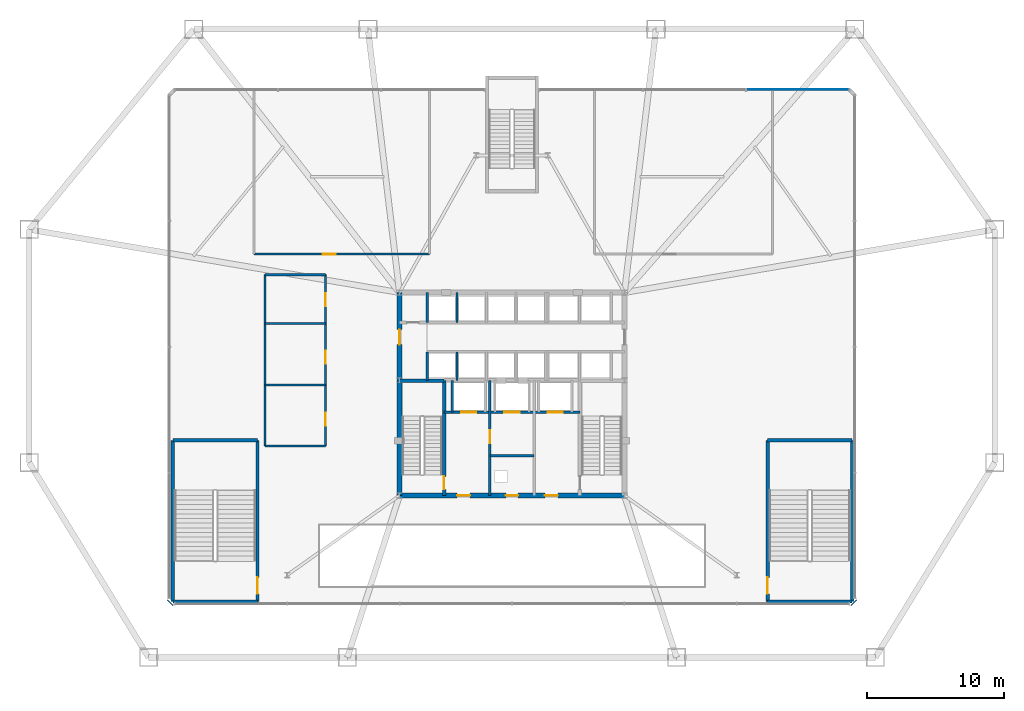
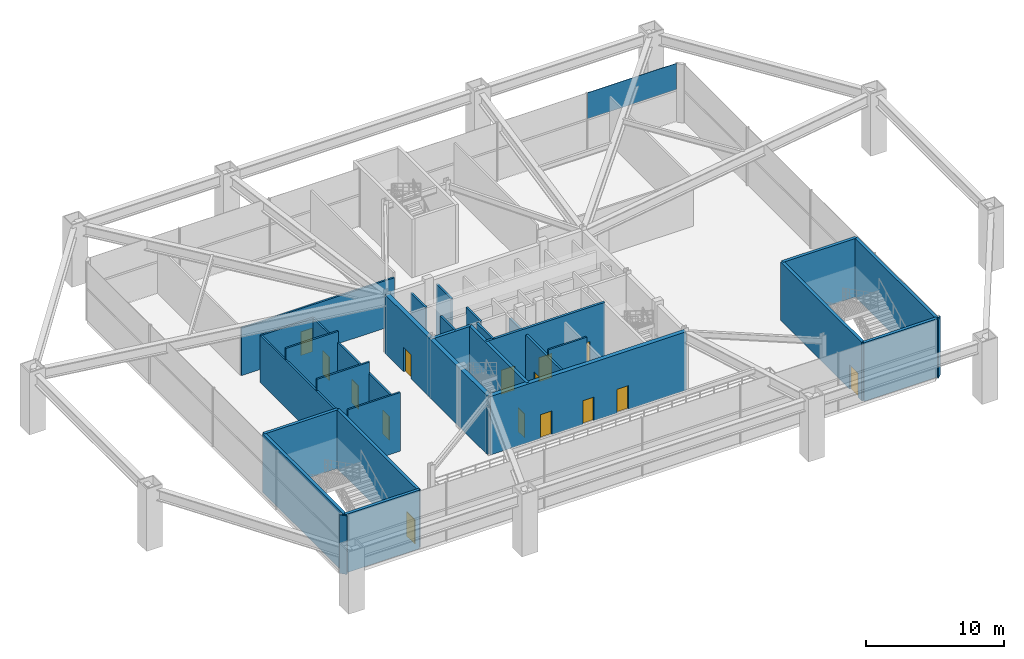
# One storey, part 14 of 18: 29 walls, 15 doors, 1 plate, 15 openings, 1 element without a shape of its own.
"""IFC4 building model written with IfcOpenShell, lengths in metres."""

import ifcopenshell
import ifcopenshell.guid

model = None  # the IFC model being written
_history = None  # IfcOwnerHistory: only IFC2X3 demands one
_inside = {}  # id of a spatial element -> (the spatial element, [elements in it])
_under = {}  # id of a project, library or spatial element -> (it, [spatial elements below it])
_declared = {}  # id of a project -> (the project, [libraries it declares])
_typed = {}  # id of a type object -> (the type object, [elements of that type])
_made_of = {}  # id of a material, layer set ... -> (it, [elements and type objects made of it])


def new_model(schema):
    """Start an empty IFC model of exactly this schema.

    Asked for "IFC4X3", IfcOpenShell would pick the latest addendum, in which some entities
    have other attributes; the version numbers below select the first issue.
    IFC2X3 requires an IfcOwnerHistory on every rooted entity: one is made here for all.
    """
    global model, _history
    if schema == "IFC4X3":
        model = ifcopenshell.file(schema_version=(4, 3, 0, 0))
    else:
        model = ifcopenshell.file(schema=schema)
    _inside.clear()
    _under.clear()
    _declared.clear()
    _typed.clear()
    _made_of.clear()
    _history = None
    if model.schema == "IFC2X3":
        org = make("IfcOrganization", Name="unknown")
        user = make(
            "IfcPersonAndOrganization",
            ThePerson=make("IfcPerson", FamilyName="unknown"),
            TheOrganization=org,
        )
        app = make(
            "IfcApplication",
            ApplicationDeveloper=org,
            Version="unknown",
            ApplicationFullName="unknown",
            ApplicationIdentifier="unknown",
        )
        _history = make(
            "IfcOwnerHistory",
            OwningUser=user,
            OwningApplication=app,
            ChangeAction="ADDED",
            CreationDate=0,
        )
    return model


def make(cls, **values):
    """One entity of the class cls with the attributes given. An attribute that is None is left unset."""
    return model.create_entity(
        cls, **{name: value for name, value in values.items() if value is not None}
    )


def rooted(cls, **values):
    """An entity with a GlobalId (a new one), such as an element, a storey or a relation."""
    return make(cls, GlobalId=ifcopenshell.guid.new(), OwnerHistory=_history, **values)


def si_unit(unit_type, name, prefix=None):
    """IfcSIUnit, for example si_unit("LENGTHUNIT", "METRE", prefix="MILLI")."""
    return make("IfcSIUnit", UnitType=unit_type, Prefix=prefix, Name=name)


def assignment(units):
    """IfcUnitAssignment: the units of a project."""
    return None if units is None else make("IfcUnitAssignment", Units=units)


def point(xyz):
    """IfcCartesianPoint."""
    return None if xyz is None else make("IfcCartesianPoint", Coordinates=xyz)


def direction(xyz):
    """IfcDirection."""
    return None if xyz is None else make("IfcDirection", DirectionRatios=xyz)


def frame(location, z_axis=None, x_axis=None):
    """IfcAxis2Placement3D, a coordinate frame: its origin and axes. An axis left out is left unset."""
    return make(
        "IfcAxis2Placement3D",
        Location=point(location),
        Axis=direction(z_axis),
        RefDirection=direction(x_axis),
    )


def frame_2d(location, x_axis=None):
    """IfcAxis2Placement2D, a coordinate frame in the plane: its origin and x axis."""
    return make(
        "IfcAxis2Placement2D", Location=point(location), RefDirection=direction(x_axis)
    )


def origin():
    """The frame at (0, 0, 0) with its axes left unset."""
    return frame((0.0, 0.0, 0.0))


def origin_2d():
    """The frame at (0, 0) in the plane with its x axis left unset."""
    return frame_2d((0.0, 0.0))


def place(relative_to, where):
    """IfcLocalPlacement: puts the frame where relative to a parent placement (None: the world)."""
    return make(
        "IfcLocalPlacement", PlacementRelTo=relative_to, RelativePlacement=where
    )


def context(
    kind, dimensions, precision=None, world=None, true_north=None, identifier=None
):
    """IfcGeometricRepresentationContext, for example the 3D "Model" context."""
    return make(
        "IfcGeometricRepresentationContext",
        ContextIdentifier=identifier,
        ContextType=kind,
        CoordinateSpaceDimension=dimensions,
        Precision=precision,
        WorldCoordinateSystem=world,
        TrueNorth=true_north,
    )


def subcontext(parent, identifier, kind, view, scale=None):
    """IfcGeometricRepresentationSubContext, for example "Body" below "Model"."""
    return make(
        "IfcGeometricRepresentationSubContext",
        ContextIdentifier=identifier,
        ContextType=kind,
        ParentContext=parent,
        TargetScale=scale,
        TargetView=view,
    )


def project(units=None, contexts=None):
    """IfcProject with its units and contexts."""
    return rooted(
        "IfcProject",
        Name="project",
        RepresentationContexts=contexts,
        UnitsInContext=assignment(units),
    )


def spatial(cls, under=None, at=None, **own):
    """A site, building, storey or space (cls), placed at a placement, below another one or the project."""
    s = rooted(cls, ObjectPlacement=at, **own)
    if under is not None:
        _under.setdefault(under.id(), (under, []))[1].append(s)
    return s


def profile(cls, at=None, kind="AREA", **sizes):
    """A parametric profile (cls). Its sizes go by their IFC names, for example OverallWidth=200.0."""
    return make(cls, ProfileType=kind, Position=at, **sizes)


def rectangle(**sizes):
    """IfcRectangleProfileDef."""
    return profile("IfcRectangleProfileDef", **sizes)


def extrude(swept, where, along, depth):
    """IfcExtrudedAreaSolid: the profile swept, set in the frame where, extruded along a direction by depth."""
    return make(
        "IfcExtrudedAreaSolid",
        SweptArea=swept,
        Position=where,
        ExtrudedDirection=direction(along),
        Depth=depth,
    )


def shape(context_of_items, identifier, shape_type, items):
    """IfcShapeRepresentation: the items that make up one representation, for example the "Body"."""
    return make(
        "IfcShapeRepresentation",
        ContextOfItems=context_of_items,
        RepresentationIdentifier=identifier,
        RepresentationType=shape_type,
        Items=items,
    )


def source(mapping_origin, context_of_items, identifier, shape_type, items):
    """IfcRepresentationMap: a shape defined once, which mapped items show again and again."""
    return make(
        "IfcRepresentationMap",
        MappingOrigin=mapping_origin,
        MappedRepresentation=shape(context_of_items, identifier, shape_type, items),
    )


def transform(
    local_origin,
    x_axis=None,
    y_axis=None,
    z_axis=None,
    scale=None,
    scale2=None,
    scale3=None,
    uniform=True,
):
    """IfcCartesianTransformationOperator3D, or its non-uniform kind. x_axis, y_axis, z_axis: its Axis1, 2, 3."""
    if uniform:
        return make(
            "IfcCartesianTransformationOperator3D",
            Axis1=direction(x_axis),
            Axis2=direction(y_axis),
            LocalOrigin=point(local_origin),
            Scale=scale,
            Axis3=direction(z_axis),
        )
    return make(
        "IfcCartesianTransformationOperator3DnonUniform",
        Axis1=direction(x_axis),
        Axis2=direction(y_axis),
        LocalOrigin=point(local_origin),
        Scale=scale,
        Axis3=direction(z_axis),
        Scale2=scale2,
        Scale3=scale3,
    )


def mapped(mapping_source, mapping_target):
    """IfcMappedItem: shows the shape of a source again, moved by a transform."""
    return make(
        "IfcMappedItem", MappingSource=mapping_source, MappingTarget=mapping_target
    )


def material(Name=None, Category=None):
    """IfcMaterial."""
    return make("IfcMaterial", Name=Name, Category=Category)


def layer(
    of_material, thickness, ventilated=None, Name=None, Category=None, Priority=None
):
    """IfcMaterialLayer: one layer of a wall or slab, of a material (None: an air gap)."""
    return make(
        "IfcMaterialLayer",
        Material=of_material,
        LayerThickness=thickness,
        IsVentilated=ventilated,
        Name=Name,
        Category=Category,
        Priority=Priority,
    )


def layer_set(layers, Name=None):
    """IfcMaterialLayerSet."""
    return make("IfcMaterialLayerSet", MaterialLayers=layers, LayerSetName=Name)


def made_of(thing, what):
    """Note that an element or type object is made of a material, layer set ...; save() writes the relation."""
    if what is not None:
        _made_of.setdefault(what.id(), (what, []))[1].append(thing)
    return thing


def type_object(cls, material=None, **own):
    """A type object (cls), such as IfcWallType, which elements share."""
    return made_of(rooted(cls, **own), material)


def type_shapes(of_type, sources):
    """Give a type object the sources (RepresentationMaps) that its elements show as mapped items."""
    of_type.RepresentationMaps = sources


def element(
    cls,
    number,
    at=None,
    inside=None,
    cuts=None,
    type_object=None,
    material=None,
    context=None,
    identifier="Body",
    shape_type=None,
    held_by="IfcProductDefinitionShape",
    body=None,
    shapes=None,
    **own,
):
    """One element of the class cls, such as IfcWall. Its Tag is "e" and its number.

    at: its placement. inside: the storey or other place that contains it. cuts: it is an
    opening in that element (IfcRelVoidsElement). A single representation is given by context,
    identifier, shape_type and body (its items); several are given by shapes. held_by: the class
    of the entity that holds the representations. save() writes the other relations.
    """
    e = rooted(cls, Tag="e%d" % number, ObjectPlacement=at, **own)
    if body is not None:
        shapes = [shape(context, identifier, shape_type, body)]
    if shapes is not None:
        e.Representation = make(held_by, Representations=shapes)
    if inside is not None:
        _inside.setdefault(inside.id(), (inside, []))[1].append(e)
    if cuts is not None:
        rooted(
            "IfcRelVoidsElement", RelatingBuildingElement=cuts, RelatedOpeningElement=e
        )
    if type_object is not None:
        _typed.setdefault(type_object.id(), (type_object, []))[1].append(e)
    return made_of(e, material)


def fill(opening, filler):
    """IfcRelFillsElement: the door or window that sits in an opening."""
    return rooted(
        "IfcRelFillsElement",
        RelatingOpeningElement=opening,
        RelatedBuildingElement=filler,
    )


def aggregate(whole, parts):
    """IfcRelAggregates: a whole, such as a stair, and the parts it consists of."""
    return rooted("IfcRelAggregates", RelatingObject=whole, RelatedObjects=parts)


def save(model, path):
    """Write the relations noted so far, then the file.

    IfcRelAggregates (storeys below a building ...), IfcRelContainedInSpatialStructure (elements
    in a storey), IfcRelDefinesByType, IfcRelAssociatesMaterial and IfcRelDeclares: one each for
    every whole, place, type object, material and project.
    """
    for whole, parts in _under.values():
        aggregate(whole, parts)
    for where, things in _inside.values():
        rooted(
            "IfcRelContainedInSpatialStructure",
            RelatedElements=things,
            RelatingStructure=where,
        )
    for kind, things in _typed.values():
        rooted("IfcRelDefinesByType", RelatedObjects=things, RelatingType=kind)
    for what, things in _made_of.values():
        rooted("IfcRelAssociatesMaterial", RelatedObjects=things, RelatingMaterial=what)
    for by, libraries in _declared.values():
        rooted("IfcRelDeclares", RelatingContext=by, RelatedDefinitions=libraries)
    model.write(path)


model = new_model("IFC4")

# Units and contexts
model_context = context("Model", 3, precision=1e-05, world=origin(), true_north=direction((0.0, 1.0)))
body_context = subcontext(model_context, "Body", "Model", "MODEL_VIEW")
ifc_project = project(units=[si_unit("LENGTHUNIT", "METRE"), si_unit("AREAUNIT", "SQUARE_METRE"), si_unit("VOLUMEUNIT", "CUBIC_METRE"), si_unit("PLANEANGLEUNIT", "RADIAN"), si_unit("MASSUNIT", "GRAM", prefix="KILO")], contexts=[model_context])

# Site, building, storey
site_placement = place(None, origin())
site = spatial("IfcSite", under=ifc_project, at=site_placement, CompositionType="ELEMENT")
building_placement = place(site_placement, origin())
building = spatial("IfcBuilding", under=site, at=building_placement, Name="Varakhsha Concourse Tower", CompositionType="ELEMENT")
storey_placement = place(building_placement, frame((0.0, 0.0, 5.5)))
storey = spatial("IfcBuildingStorey", under=building, at=storey_placement, Name="L02", CompositionType="ELEMENT", Elevation=5.5)

# Curtain wall, plate
ifc_material_1 = material(Name="Anodised Bronze Architectural Aluminium AA 6063-T6", Category="aluminium")
ifc_layer_1 = layer(ifc_material_1, 0.239990234375, Name="CW-SYS-01")
ifc_layer_set_1 = layer_set([ifc_layer_1], Name="Anodised Bronze Architectural Aluminium AA 6063-T6")
curtain_wall_type = type_object("IfcCurtainWallType", Name="CW-SYS-01", PredefinedType="NOTDEFINED", material=ifc_layer_set_1)
curtain_wall_placement = place(storey_placement, origin())
curtain_wall = element("IfcCurtainWall", 1, at=curtain_wall_placement, inside=storey, type_object=curtain_wall_type, Name="L02 Mezzanine Curtain Wall 05A", PredefinedType="NOTDEFINED")
ifc_material_2 = material(Name="Glazed Turquoise-Bronze Ceramic Spandrel Panel 38 mm", Category="ceramic")
ifc_layer_2 = layer(ifc_material_2, 0.0380859375, Name="CWP-SPN-38")
ifc_layer_set_2 = layer_set([ifc_layer_2], Name="Glazed Turquoise-Bronze Ceramic Spandrel Panel 38 mm")
plate_type = type_object("IfcPlateType", Name="CWP-SPN-38", PredefinedType="USERDEFINED", material=ifc_layer_set_2)
shared_shape = source(origin(), body_context, "Body", "SweptSolid", [
    extrude(rectangle(XDim=7.457763671875, YDim=0.0380859375, at=origin_2d()), origin(), (0.0, 0.0, 1.0), 2.31103515625),
])
type_shapes(plate_type, [shared_shape])
plate_placement = place(storey_placement, frame((60.83154296875, 46.0, 2.83447265625), z_axis=(0.0, 0.0, 1.0), x_axis=(-1.0, 0.0, 0.0)))
plate = element("IfcPlate", 2, at=plate_placement, type_object=plate_type, Name="CW-L02-05A Panel 00-01", ObjectType="SPANDREL", PredefinedType="USERDEFINED", context=body_context, shape_type="MappedRepresentation", body=[
    mapped(shared_shape, transform((0.0, 0.0, 0.0), scale=1.0)),
])
aggregate(curtain_wall, [plate])

# Wall, openings, doors
ifc_material_3 = material(Name="Concrete fc 65 MPa", Category="concrete")
ifc_layer_3 = layer(ifc_material_3, 0.35009765625, Name="WL-CORE-350")
ifc_layer_set_3 = layer_set([ifc_layer_3], Name="Concrete fc 65 MPa")
wall_type_1 = type_object("IfcWallType", Name="WL-CORE-350", PredefinedType="SHEAR", material=ifc_layer_set_3)
wall_1_placement = place(storey_placement, frame((31.800048828125, 16.39990234375, 0.0), z_axis=(0.0, 0.0, 1.0), x_axis=(1.0, 0.0, 0.0)))
wall_1 = element("IfcWall", 3, at=wall_1_placement, inside=storey, type_object=wall_type_1, Name="L02 Wall CWALL-S-L02", PredefinedType="SHEAR", context=body_context, shape_type="SweptSolid", body=[
    extrude(rectangle(XDim=16.39990234375, YDim=0.35009765625, at=frame_2d((8.199951171875, 0.0))), origin(), (0.0, 0.0, 1.0), 5.179931640625),
])
opening_1_placement = place(wall_1_placement, frame((7.75, 0.0, 0.0)))
opening_1 = element("IfcOpeningElement", 4, at=opening_1_placement, cuts=wall_1, Name="Opening DF-06", PredefinedType="OPENING", context=body_context, shape_type="SweptSolid", body=[
    extrude(rectangle(XDim=0.89990234375, YDim=2.10009765625, at=frame_2d((0.449951171875, 1.050048828125))), frame((0.0, 0.18505859375, 0.0), z_axis=(0.0, -1.0, 0.0), x_axis=(1.0, 0.0, 0.0)), (0.0, 0.0, 1.0), 0.3701171875),
])
opening_2_placement = place(wall_1_placement, frame((4.199951171875, 0.0, 0.0)))
opening_2 = element("IfcOpeningElement", 5, at=opening_2_placement, cuts=wall_1, Name="Opening DF-05", PredefinedType="OPENING", context=body_context, shape_type="SweptSolid", body=[
    extrude(rectangle(XDim=0.949951171875, YDim=2.10009765625, at=frame_2d((0.47509765625, 1.050048828125))), frame((0.0, 0.18505859375, 0.0), z_axis=(0.0, -1.0, 0.0), x_axis=(1.0, 0.0, 0.0)), (0.0, 0.0, 1.0), 0.3701171875),
])
opening_3_placement = place(wall_1_placement, frame((10.60009765625, 0.0, 0.0)))
opening_3 = element("IfcOpeningElement", 6, at=opening_3_placement, cuts=wall_1, Name="Opening DF-05", PredefinedType="OPENING", context=body_context, shape_type="SweptSolid", body=[
    extrude(rectangle(XDim=0.949951171875, YDim=2.10009765625, at=frame_2d((0.47509765625, 1.050048828125))), frame((0.0, 0.18505859375, 0.0), z_axis=(0.0, -1.0, 0.0), x_axis=(1.0, 0.0, 0.0)), (0.0, 0.0, 1.0), 0.3701171875),
])
ifc_material_4 = material(Name="Hollow Galvanised Steel Fire Door Assembly", Category="steel")
door_type_1 = type_object("IfcDoorType", Name="DR-FD60-900", OperationType="NOTDEFINED", PredefinedType="DOOR", material=ifc_material_4)
door_1_placement = place(opening_1_placement, origin())
door_1 = element("IfcDoor", 7, at=door_1_placement, inside=storey, type_object=door_type_1, Name="L02 Electrical Riser Access Door", OperationType="SINGLE_SWING_LEFT", OverallHeight=2.10009765625, OverallWidth=0.89990234375, PredefinedType="DOOR", context=body_context, shape_type="SweptSolid", body=[
    extrude(rectangle(XDim=0.89990234375, YDim=2.10009765625, at=frame_2d((0.449951171875, 1.050048828125))), frame((0.0, 0.02490234375, 0.0), z_axis=(0.0, -1.0, 0.0), x_axis=(1.0, 0.0, 0.0)), (0.0, 0.0, 1.0), 0.050048828125),
])
fill(opening_1, door_1)
door_type_2 = type_object("IfcDoorType", Name="DR-FD60-950", OperationType="NOTDEFINED", PredefinedType="DOOR", material=ifc_material_4)
door_2_placement = place(opening_2_placement, origin())
door_2 = element("IfcDoor", 8, at=door_2_placement, inside=storey, type_object=door_type_2, Name="L02 Firefighting Lobby West Door", OperationType="SINGLE_SWING_RIGHT", OverallHeight=2.10009765625, OverallWidth=0.949951171875, PredefinedType="DOOR", context=body_context, shape_type="SweptSolid", body=[
    extrude(rectangle(XDim=0.949951171875, YDim=2.10009765625, at=frame_2d((0.47509765625, 1.050048828125))), frame((0.0, 0.02490234375, 0.0), z_axis=(0.0, -1.0, 0.0), x_axis=(1.0, 0.0, 0.0)), (0.0, 0.0, 1.0), 0.050048828125),
])
fill(opening_2, door_2)
door_3_placement = place(opening_3_placement, origin())
door_3 = element("IfcDoor", 9, at=door_3_placement, inside=storey, type_object=door_type_2, Name="L02 Firefighting Lobby East Door", OperationType="SINGLE_SWING_LEFT", OverallHeight=2.10009765625, OverallWidth=0.949951171875, PredefinedType="DOOR", context=body_context, shape_type="SweptSolid", body=[
    extrude(rectangle(XDim=0.949951171875, YDim=2.10009765625, at=frame_2d((0.47509765625, 1.050048828125))), frame((0.0, 0.02490234375, 0.0), z_axis=(0.0, -1.0, 0.0), x_axis=(1.0, 0.0, 0.0)), (0.0, 0.0, 1.0), 0.050048828125),
])
fill(opening_3, door_3)

# Wall, opening, door
wall_2_placement = place(storey_placement, frame((31.800048828125, 16.39990234375, 0.0), z_axis=(0.0, 0.0, 1.0), x_axis=(0.0, 1.0, 0.0)))
wall_2 = element("IfcWall", 10, at=wall_2_placement, inside=storey, type_object=wall_type_1, Name="L02 Wall CWALL-W-L02", PredefinedType="SHEAR", context=body_context, shape_type="SweptSolid", body=[
    extrude(rectangle(XDim=14.800048828125, YDim=0.35009765625, at=frame_2d((7.39990234375, 0.0))), origin(), (0.0, 0.0, 1.0), 5.179931640625),
])
opening_4_placement = place(wall_2_placement, frame((11.0, 0.0, 0.0)))
opening_4 = element("IfcOpeningElement", 11, at=opening_4_placement, cuts=wall_2, Name="Opening DL-01", PredefinedType="OPENING", context=body_context, shape_type="SweptSolid", body=[
    extrude(rectangle(XDim=1.10009765625, YDim=2.14990234375, at=frame_2d((0.550048828125, 1.074951171875))), frame((0.0, 0.18505859375, 0.0), z_axis=(0.0, -1.0, 0.0), x_axis=(1.0, 0.0, 0.0)), (0.0, 0.0, 1.0), 0.3701171875),
])
door_type_3 = type_object("IfcDoorType", Name="DR-LOB-1100", OperationType="NOTDEFINED", PredefinedType="DOOR", material=ifc_material_1)
door_4_placement = place(opening_4_placement, origin())
door_4 = element("IfcDoor", 12, at=door_4_placement, inside=storey, type_object=door_type_3, Name="L02 Lift Lobby West Concourse Door", OperationType="SINGLE_SWING_LEFT", OverallHeight=2.14990234375, OverallWidth=1.10009765625, PredefinedType="DOOR", context=body_context, shape_type="SweptSolid", body=[
    extrude(rectangle(XDim=1.10009765625, YDim=2.14990234375, at=frame_2d((0.550048828125, 1.074951171875))), frame((0.0, 0.02490234375, 0.0), z_axis=(0.0, -1.0, 0.0), x_axis=(1.0, 0.0, 0.0)), (0.0, 0.0, 1.0), 0.050048828125),
])
fill(opening_4, door_4)

# Walls
ifc_material_5 = material(Name="Concrete fc 45 MPa", Category="concrete")
ifc_layer_4 = layer(ifc_material_5, 0.300048828125, Name="WL-EXT-POD-300")
ifc_layer_set_4 = layer_set([ifc_layer_4], Name="Concrete fc 45 MPa")
wall_type_2 = type_object("IfcWallType", Name="WL-EXT-POD-300", PredefinedType="STANDARD", material=ifc_layer_set_4)
for number, where, z_axis, x_axis, name in (
    (13, (64.72021484375, 8.3798828125, 0.0), (0.0, 0.0, 1.0), (0.707106781187, 0.707106781187, 0.0), "L02 Mezzanine Corner Pier 2"),
    (14, (14.8798828125, 8.77978515625, 0.0), (0.0, 0.0, 1.0), (0.707106781187, -0.707106781187, 0.0), "L02 Mezzanine Corner Pier 8"),
):
    element("IfcWall", number, at=place(storey_placement, frame(where, z_axis=z_axis, x_axis=x_axis)), inside=storey, type_object=wall_type_2, Name=name, PredefinedType="STANDARD", context=body_context, shape_type="SweptSolid", body=[
        extrude(rectangle(XDim=0.5654296875, YDim=0.080078125, at=frame_2d((0.28271484375, 0.0))), origin(), (0.0, 0.0, 1.0), 5.179931640625),
    ])

# Wall, opening, door
ifc_material_6 = material(Name="Fire-Rated Type X Gypsum Partition Assembly", Category="gypsum")
ifc_layer_5 = layer(ifc_material_6, 0.179931640625, Name="WL-FFLOB-180")
ifc_layer_set_5 = layer_set([ifc_layer_5], Name="Fire-Rated Type X Gypsum Partition Assembly")
wall_type_3 = type_object("IfcWallType", Name="WL-FFLOB-180", PredefinedType="PARTITIONING", material=ifc_layer_set_5)
wall_3_placement = place(storey_placement, frame((38.389892578125, 16.39990234375, 0.0), z_axis=(0.0, 0.0, 1.0), x_axis=(0.0, 1.0, 0.0)))
wall_3 = element("IfcWall", 15, at=wall_3_placement, inside=storey, type_object=wall_type_3, Name="L02 Wall FFW-1E-L02", PredefinedType="PARTITIONING", context=body_context, shape_type="SweptSolid", body=[
    extrude(rectangle(XDim=8.400146484375, YDim=0.179931640625, at=frame_2d((4.2001953125, 0.0))), origin(), (0.0, 0.0, 1.0), 4.631103515625),
])
opening_5_placement = place(wall_3_placement, frame((3.800048828125, 0.0, 0.0)))
opening_5 = element("IfcOpeningElement", 16, at=opening_5_placement, cuts=wall_3, Name="Opening DF-05", PredefinedType="OPENING", context=body_context, shape_type="SweptSolid", body=[
    extrude(rectangle(XDim=0.949951171875, YDim=2.10009765625, at=frame_2d((0.47509765625, 1.050048828125))), frame((0.0, 0.099853515625, 0.0), z_axis=(0.0, -1.0, 0.0), x_axis=(1.0, 0.0, 0.0)), (0.0, 0.0, 1.0), 0.199951171875),
])
door_5_placement = place(opening_5_placement, origin())
door_5 = element("IfcDoor", 17, at=door_5_placement, inside=storey, type_object=door_type_2, Name="L02 Service Vestibule Door", OperationType="SINGLE_SWING_RIGHT", OverallHeight=2.10009765625, OverallWidth=0.949951171875, PredefinedType="DOOR", context=body_context, shape_type="SweptSolid", body=[
    extrude(rectangle(XDim=0.949951171875, YDim=2.10009765625, at=frame_2d((0.47509765625, 1.050048828125))), frame((0.0, 0.02490234375, 0.0), z_axis=(0.0, -1.0, 0.0), x_axis=(1.0, 0.0, 0.0)), (0.0, 0.0, 1.0), 0.050048828125),
])
fill(opening_5, door_5)

# Wall
ifc_layer_6 = layer(ifc_material_6, 0.14990234375, Name="WL-PART-150")
ifc_layer_set_6 = layer_set([ifc_layer_6], Name="Fire-Rated Type X Gypsum Partition Assembly")
wall_type_4 = type_object("IfcWallType", Name="WL-PART-150", PredefinedType="PARTITIONING", material=ifc_layer_set_6)
wall_4_placement = place(storey_placement, frame((38.389892578125, 19.300048828125, 0.0), z_axis=(0.0, 0.0, 1.0), x_axis=(1.0, 0.0, 0.0)))
element("IfcWall", 18, at=wall_4_placement, inside=storey, type_object=wall_type_4, Name="L02 Wall RSW-H-L02", PredefinedType="PARTITIONING", context=body_context, shape_type="SweptSolid", body=[
    extrude(rectangle(XDim=3.22021484375, YDim=0.14990234375, at=frame_2d((1.610107421875, 0.0))), origin(), (0.0, 0.0, 1.0), 5.179931640625),
])

# Wall, opening, door
wall_5_placement = place(storey_placement, frame((21.199951171875, 34.0, 0.0), z_axis=(0.0, 0.0, 1.0), x_axis=(1.0, 0.0, 0.0)))
wall_5 = element("IfcWall", 19, at=wall_5_placement, inside=storey, type_object=wall_type_4, Name="L02 Wall L02W-M1S", PredefinedType="PARTITIONING", context=body_context, shape_type="SweptSolid", body=[
    extrude(rectangle(XDim=12.800048828125, YDim=0.14990234375, at=frame_2d((6.39990234375, 0.0))), origin(), (0.0, 0.0, 1.0), 4.195068359375),
])
opening_6_placement = place(wall_5_placement, frame((5.0, 0.0, 0.0)))
opening_6 = element("IfcOpeningElement", 20, at=opening_6_placement, cuts=wall_5, Name="Opening DF-05", PredefinedType="OPENING", context=body_context, shape_type="SweptSolid", body=[
    extrude(rectangle(XDim=0.949951171875, YDim=2.10009765625, at=frame_2d((0.47509765625, 1.050048828125))), frame((0.0, 0.0849609375, 0.0), z_axis=(0.0, -1.0, 0.0), x_axis=(1.0, 0.0, 0.0)), (0.0, 0.0, 1.0), 0.169921875),
])
door_6_placement = place(opening_6_placement, origin())
door_6 = element("IfcDoor", 21, at=door_6_placement, inside=storey, type_object=door_type_2, Name="L02 Platte Boardroom Suite Door", OperationType="SINGLE_SWING_LEFT", OverallHeight=2.10009765625, OverallWidth=0.949951171875, PredefinedType="DOOR", context=body_context, shape_type="SweptSolid", body=[
    extrude(rectangle(XDim=0.949951171875, YDim=2.10009765625, at=frame_2d((0.47509765625, 1.050048828125))), frame((0.0, 0.02490234375, 0.0), z_axis=(0.0, -1.0, 0.0), x_axis=(1.0, 0.0, 0.0)), (0.0, 0.0, 1.0), 0.050048828125),
])
fill(opening_6, door_6)

# Wall, openings, doors
wall_6_placement = place(storey_placement, frame((26.39990234375, 20.0, 0.0), z_axis=(0.0, 0.0, 1.0), x_axis=(0.0, 1.0, 0.0)))
wall_6 = element("IfcWall", 22, at=wall_6_placement, inside=storey, type_object=wall_type_4, Name="L02 Wall L02W-WCE", PredefinedType="PARTITIONING", context=body_context, shape_type="SweptSolid", body=[
    extrude(rectangle(XDim=12.5, YDim=0.14990234375, at=frame_2d((6.25, 0.0))), origin(), (0.0, 0.0, 1.0), 4.195068359375),
])
opening_7_placement = place(wall_6_placement, frame((1.5, 0.0, 0.0)))
opening_7 = element("IfcOpeningElement", 23, at=opening_7_placement, cuts=wall_6, Name="Opening DF-05", PredefinedType="OPENING", context=body_context, shape_type="SweptSolid", body=[
    extrude(rectangle(XDim=0.949951171875, YDim=2.10009765625, at=frame_2d((0.47509765625, 1.050048828125))), frame((0.0, 0.0849609375, 0.0), z_axis=(0.0, -1.0, 0.0), x_axis=(1.0, 0.0, 0.0)), (0.0, 0.0, 1.0), 0.169921875),
])
opening_8_placement = place(wall_6_placement, frame((6.0, 0.0, 0.0)))
opening_8 = element("IfcOpeningElement", 24, at=opening_8_placement, cuts=wall_6, Name="Opening DF-05", PredefinedType="OPENING", context=body_context, shape_type="SweptSolid", body=[
    extrude(rectangle(XDim=0.949951171875, YDim=2.10009765625, at=frame_2d((0.47509765625, 1.050048828125))), frame((0.0, 0.0849609375, 0.0), z_axis=(0.0, -1.0, 0.0), x_axis=(1.0, 0.0, 0.0)), (0.0, 0.0, 1.0), 0.169921875),
])
opening_9_placement = place(wall_6_placement, frame((10.199951171875, 0.0, 0.0)))
opening_9 = element("IfcOpeningElement", 25, at=opening_9_placement, cuts=wall_6, Name="Opening DF-05", PredefinedType="OPENING", context=body_context, shape_type="SweptSolid", body=[
    extrude(rectangle(XDim=0.949951171875, YDim=2.10009765625, at=frame_2d((0.47509765625, 1.050048828125))), frame((0.0, 0.0849609375, 0.0), z_axis=(0.0, -1.0, 0.0), x_axis=(1.0, 0.0, 0.0)), (0.0, 0.0, 1.0), 0.169921875),
])
door_7_placement = place(opening_7_placement, origin())
door_7 = element("IfcDoor", 26, at=door_7_placement, inside=storey, type_object=door_type_2, Name="L02 Men Restroom WC Door", OperationType="SINGLE_SWING_LEFT", OverallHeight=2.10009765625, OverallWidth=0.949951171875, PredefinedType="DOOR", context=body_context, shape_type="SweptSolid", body=[
    extrude(rectangle(XDim=0.949951171875, YDim=2.10009765625, at=frame_2d((0.47509765625, 1.050048828125))), frame((0.0, 0.02490234375, 0.0), z_axis=(0.0, -1.0, 0.0), x_axis=(1.0, 0.0, 0.0)), (0.0, 0.0, 1.0), 0.050048828125),
])
fill(opening_7, door_7)
door_8_placement = place(opening_8_placement, origin())
door_8 = element("IfcDoor", 27, at=door_8_placement, inside=storey, type_object=door_type_2, Name="L02 Women Restroom WC Door", OperationType="SINGLE_SWING_LEFT", OverallHeight=2.10009765625, OverallWidth=0.949951171875, PredefinedType="DOOR", context=body_context, shape_type="SweptSolid", body=[
    extrude(rectangle(XDim=0.949951171875, YDim=2.10009765625, at=frame_2d((0.47509765625, 1.050048828125))), frame((0.0, 0.02490234375, 0.0), z_axis=(0.0, -1.0, 0.0), x_axis=(1.0, 0.0, 0.0)), (0.0, 0.0, 1.0), 0.050048828125),
])
fill(opening_8, door_8)
door_9_placement = place(opening_9_placement, origin())
door_9 = element("IfcDoor", 28, at=door_9_placement, inside=storey, type_object=door_type_2, Name="L02 Accessible WC Door", OperationType="SINGLE_SWING_LEFT", OverallHeight=2.10009765625, OverallWidth=0.949951171875, PredefinedType="DOOR", context=body_context, shape_type="SweptSolid", body=[
    extrude(rectangle(XDim=0.949951171875, YDim=2.10009765625, at=frame_2d((0.47509765625, 1.050048828125))), frame((0.0, 0.02490234375, 0.0), z_axis=(0.0, -1.0, 0.0), x_axis=(1.0, 0.0, 0.0)), (0.0, 0.0, 1.0), 0.050048828125),
])
fill(opening_9, door_9)

# Walls
wall_7_placement = place(storey_placement, frame((22.0, 20.0, 0.0), z_axis=(0.0, 0.0, 1.0), x_axis=(0.0, 1.0, 0.0)))
element("IfcWall", 29, at=wall_7_placement, inside=storey, type_object=wall_type_4, Name="L02 Wall L02W-WCW", PredefinedType="PARTITIONING", context=body_context, shape_type="SweptSolid", body=[
    extrude(rectangle(XDim=12.5, YDim=0.14990234375, at=frame_2d((6.25, 0.0))), origin(), (0.0, 0.0, 1.0), 4.195068359375),
])
for number, where, z_axis, x_axis, name in (
    (30, (22.0, 20.0, 0.0), (0.0, 0.0, 1.0), (1.0, 0.0, 0.0), "L02 Wall L02W-WCS"),
    (31, (22.0, 24.449951171875, 0.0), (0.0, 0.0, 1.0), (1.0, 0.0, 0.0), "L02 Wall L02W-WCD1"),
    (32, (22.0, 28.949951171875, 0.0), (0.0, 0.0, 1.0), (1.0, 0.0, 0.0), "L02 Wall L02W-WCD2"),
):
    element("IfcWall", number, at=place(storey_placement, frame(where, z_axis=z_axis, x_axis=x_axis)), inside=storey, type_object=wall_type_4, Name=name, PredefinedType="PARTITIONING", context=body_context, shape_type="SweptSolid", body=[
        extrude(rectangle(XDim=4.39990234375, YDim=0.14990234375, at=frame_2d((2.199951171875, 0.0))), origin(), (0.0, 0.0, 1.0), 5.179931640625),
    ])
wall_8_placement = place(storey_placement, frame((22.0, 32.5, 0.0), z_axis=(0.0, 0.0, 1.0), x_axis=(1.0, 0.0, 0.0)))
element("IfcWall", 33, at=wall_8_placement, inside=storey, type_object=wall_type_4, Name="L02 Wall L02W-WCN", PredefinedType="PARTITIONING", context=body_context, shape_type="SweptSolid", body=[
    extrude(rectangle(XDim=4.39990234375, YDim=0.14990234375, at=frame_2d((2.199951171875, 0.0))), origin(), (0.0, 0.0, 1.0), 4.195068359375),
])

# Wall, openings, doors
ifc_layer_7 = layer(ifc_material_6, 0.199951171875, Name="WL-SHAFT-220")
ifc_layer_set_7 = layer_set([ifc_layer_7], Name="Fire-Rated Type X Gypsum Partition Assembly")
wall_type_5 = type_object("IfcWallType", Name="WL-SHAFT-220", PredefinedType="SOLIDWALL", material=ifc_layer_set_7)
wall_9_placement = place(storey_placement, frame((35.044921875, 22.47998046875, 0.0), z_axis=(0.0, 0.0, 1.0), x_axis=(1.0, 0.0, 0.0)))
wall_9 = element("IfcWall", 34, at=wall_9_placement, inside=storey, type_object=wall_type_5, Name="L02 Wall FFW-NH-L02", PredefinedType="SOLIDWALL", context=body_context, shape_type="SweptSolid", body=[
    extrude(rectangle(XDim=9.91015625, YDim=0.199951171875, at=frame_2d((4.955078125, 0.0))), origin(), (0.0, 0.0, 1.0), 5.179931640625),
])
opening_10_placement = place(wall_9_placement, frame((1.2548828125, 0.0, 0.0)))
opening_10 = element("IfcOpeningElement", 35, at=opening_10_placement, cuts=wall_9, Name="Opening LD-FFL-1", PredefinedType="OPENING", context=body_context, shape_type="SweptSolid", body=[
    extrude(rectangle(XDim=1.10009765625, YDim=2.14990234375, at=frame_2d((0.550048828125, 1.074951171875))), frame((0.0, 0.10986328125, 0.0), z_axis=(0.0, -1.0, 0.0), x_axis=(1.0, 0.0, 0.0)), (0.0, 0.0, 1.0), 0.219970703125),
])
opening_11_placement = place(wall_9_placement, frame((7.554931640625, 0.0, 0.0)))
opening_11 = element("IfcOpeningElement", 36, at=opening_11_placement, cuts=wall_9, Name="Opening LD-FFL-2", PredefinedType="OPENING", context=body_context, shape_type="SweptSolid", body=[
    extrude(rectangle(XDim=1.10009765625, YDim=2.14990234375, at=frame_2d((0.550048828125, 1.074951171875))), frame((0.0, 0.10986328125, 0.0), z_axis=(0.0, -1.0, 0.0), x_axis=(1.0, 0.0, 0.0)), (0.0, 0.0, 1.0), 0.219970703125),
])
opening_12_placement = place(wall_9_placement, frame((4.405029296875, 0.0, 0.0)))
opening_12 = element("IfcOpeningElement", 37, at=opening_12_placement, cuts=wall_9, Name="Opening LD-SVL-1", PredefinedType="OPENING", context=body_context, shape_type="SweptSolid", body=[
    extrude(rectangle(XDim=1.10009765625, YDim=2.14990234375, at=frame_2d((0.550048828125, 1.074951171875))), frame((0.0, 0.10986328125, 0.0), z_axis=(0.0, -1.0, 0.0), x_axis=(1.0, 0.0, 0.0)), (0.0, 0.0, 1.0), 0.219970703125),
])
ifc_material_7 = material(Name="Brushed Austenitic Stainless Steel AISI 316", Category="steel")
door_type_4 = type_object("IfcDoorType", Name="DR-LD-1100", OperationType="DOUBLE_DOOR_SLIDING", PredefinedType="DOOR", material=ifc_material_7)
door_10_placement = place(opening_10_placement, origin())
door_10 = element("IfcDoor", 38, at=door_10_placement, inside=storey, type_object=door_type_4, Name="Lift Landing Door FFL-1 L02", OperationType="DOUBLE_DOOR_SLIDING", OverallHeight=2.14990234375, OverallWidth=1.10009765625, PredefinedType="DOOR", context=body_context, shape_type="SweptSolid", body=[
    extrude(rectangle(XDim=1.10009765625, YDim=2.14990234375, at=frame_2d((0.550048828125, 1.074951171875))), frame((0.0, 0.02490234375, 0.0), z_axis=(0.0, -1.0, 0.0), x_axis=(1.0, 0.0, 0.0)), (0.0, 0.0, 1.0), 0.050048828125),
])
fill(opening_10, door_10)
door_11_placement = place(opening_11_placement, origin())
door_11 = element("IfcDoor", 39, at=door_11_placement, inside=storey, type_object=door_type_4, Name="Lift Landing Door FFL-2 L02", OperationType="DOUBLE_DOOR_SLIDING", OverallHeight=2.14990234375, OverallWidth=1.10009765625, PredefinedType="DOOR", context=body_context, shape_type="SweptSolid", body=[
    extrude(rectangle(XDim=1.10009765625, YDim=2.14990234375, at=frame_2d((0.550048828125, 1.074951171875))), frame((0.0, 0.02490234375, 0.0), z_axis=(0.0, -1.0, 0.0), x_axis=(1.0, 0.0, 0.0)), (0.0, 0.0, 1.0), 0.050048828125),
])
fill(opening_11, door_11)
door_12_placement = place(opening_12_placement, origin())
door_12 = element("IfcDoor", 40, at=door_12_placement, inside=storey, type_object=door_type_4, Name="Lift Landing Door SVL-1 L02", OperationType="DOUBLE_DOOR_SLIDING", OverallHeight=2.14990234375, OverallWidth=1.10009765625, PredefinedType="DOOR", context=body_context, shape_type="SweptSolid", body=[
    extrude(rectangle(XDim=1.10009765625, YDim=2.14990234375, at=frame_2d((0.550048828125, 1.074951171875))), frame((0.0, 0.02490234375, 0.0), z_axis=(0.0, -1.0, 0.0), x_axis=(1.0, 0.0, 0.0)), (0.0, 0.0, 1.0), 0.050048828125),
])
fill(opening_12, door_12)

# Walls
wall_10_placement = place(storey_placement, frame((35.64990234375, 22.47998046875, 0.0), z_axis=(0.0, 0.0, 1.0), x_axis=(0.0, 1.0, 0.0)))
element("IfcWall", 41, at=wall_10_placement, inside=storey, type_object=wall_type_5, Name="L02 Wall SHW-FFL-1-W-L02", PredefinedType="SOLIDWALL", context=body_context, shape_type="SweptSolid", body=[
    extrude(rectangle(XDim=2.320068359375, YDim=0.159912109375, at=frame_2d((1.16015625, 0.0))), origin(), (0.0, 0.0, 1.0), 5.179931640625),
])
wall_11_placement = place(storey_placement, frame((33.820068359375, 29.02001953125, 0.0), z_axis=(0.0, 0.0, 1.0), x_axis=(0.0, 1.0, 0.0)))
element("IfcWall", 42, at=wall_11_placement, inside=storey, type_object=wall_type_5, Name="L02 Wall WBOH-E1-L02", PredefinedType="SOLIDWALL", context=body_context, shape_type="SweptSolid", body=[
    extrude(rectangle(XDim=2.179931640625, YDim=0.159912109375, at=frame_2d((1.08984375, 0.0))), origin(), (0.0, 0.0, 1.0), 4.631103515625),
])
wall_12_placement = place(storey_placement, frame((33.820068359375, 24.800048828125, 0.0), z_axis=(0.0, 0.0, 1.0), x_axis=(0.0, 1.0, 0.0)))
element("IfcWall", 43, at=wall_12_placement, inside=storey, type_object=wall_type_5, Name="L02 Wall WBOH-E2-L02", PredefinedType="SOLIDWALL", context=body_context, shape_type="SweptSolid", body=[
    extrude(rectangle(XDim=2.079833984375, YDim=0.159912109375, at=frame_2d((1.0400390625, 0.0))), origin(), (0.0, 0.0, 1.0), 5.179931640625),
])
wall_13_placement = place(storey_placement, frame((35.97998046875, 29.02001953125, 0.0), z_axis=(0.0, 0.0, 1.0), x_axis=(0.0, 1.0, 0.0)))
element("IfcWall", 44, at=wall_13_placement, inside=storey, type_object=wall_type_5, Name="L02 Wall SHW-LF-P01-E-L02", PredefinedType="SOLIDWALL", context=body_context, shape_type="SweptSolid", body=[
    extrude(rectangle(XDim=2.179931640625, YDim=0.159912109375, at=frame_2d((1.08984375, 0.0))), origin(), (0.0, 0.0, 1.0), 4.631103515625),
])
wall_14_placement = place(storey_placement, frame((35.97998046875, 24.800048828125, 0.0), z_axis=(0.0, 0.0, 1.0), x_axis=(0.0, 1.0, 0.0)))
element("IfcWall", 45, at=wall_14_placement, inside=storey, type_object=wall_type_5, Name="L02 Wall SHW-LF-P05-E-L02", PredefinedType="SOLIDWALL", context=body_context, shape_type="SweptSolid", body=[
    extrude(rectangle(XDim=2.079833984375, YDim=0.159912109375, at=frame_2d((1.0400390625, 0.0))), origin(), (0.0, 0.0, 1.0), 5.179931640625),
])

# Wall, opening, door
ifc_layer_8 = layer(ifc_material_5, 0.25, Name="WL-STAIR-250")
ifc_layer_set_8 = layer_set([ifc_layer_8], Name="Concrete fc 45 MPa")
wall_type_6 = type_object("IfcWallType", Name="WL-STAIR-250", PredefinedType="SHEAR", material=ifc_layer_set_8)
wall_15_placement = place(storey_placement, frame((35.044921875, 16.39990234375, 0.0), z_axis=(0.0, 0.0, 1.0), x_axis=(0.0, 1.0, 0.0)))
wall_15 = element("IfcWall", 46, at=wall_15_placement, inside=storey, type_object=wall_type_6, Name="L02 Wall SWALL-ST1-E-L02", PredefinedType="SHEAR", context=body_context, shape_type="SweptSolid", body=[
    extrude(rectangle(XDim=8.400146484375, YDim=0.25, at=frame_2d((4.2001953125, 0.0))), origin(), (0.0, 0.0, 1.0), 5.179931640625),
])
opening_13_placement = place(wall_15_placement, frame((0.449951171875, 0.0, 0.0)))
opening_13 = element("IfcOpeningElement", 47, at=opening_13_placement, cuts=wall_15, Name="Opening DF-03", PredefinedType="OPENING", context=body_context, shape_type="SweptSolid", body=[
    extrude(rectangle(XDim=0.949951171875, YDim=2.10009765625, at=frame_2d((0.47509765625, 1.050048828125))), frame((0.0, 0.135009765625, 0.0), z_axis=(0.0, -1.0, 0.0), x_axis=(1.0, 0.0, 0.0)), (0.0, 0.0, 1.0), 0.27001953125),
])
door_type_5 = type_object("IfcDoorType", Name="DR-FD90-950", OperationType="NOTDEFINED", PredefinedType="DOOR", material=ifc_material_4)
door_13_placement = place(opening_13_placement, origin())
door_13 = element("IfcDoor", 48, at=door_13_placement, inside=storey, type_object=door_type_5, Name="L02 Stair ST1 Fire Door", OperationType="SINGLE_SWING_LEFT", OverallHeight=2.10009765625, OverallWidth=0.949951171875, PredefinedType="DOOR", context=body_context, shape_type="SweptSolid", body=[
    extrude(rectangle(XDim=0.949951171875, YDim=2.10009765625, at=frame_2d((0.47509765625, 1.050048828125))), frame((0.0, 0.02490234375, 0.0), z_axis=(0.0, -1.0, 0.0), x_axis=(1.0, 0.0, 0.0)), (0.0, 0.0, 1.0), 0.050048828125),
])
fill(opening_13, door_13)

# Walls
wall_16_placement = place(storey_placement, frame((31.800048828125, 24.7548828125, 0.0), z_axis=(0.0, 0.0, 1.0), x_axis=(1.0, 0.0, 0.0)))
element("IfcWall", 49, at=wall_16_placement, inside=storey, type_object=wall_type_6, Name="L02 Wall SWALL-ST1-N-L02", PredefinedType="SHEAR", context=body_context, shape_type="SweptSolid", body=[
    extrude(rectangle(XDim=3.244873046875, YDim=0.25, at=frame_2d((1.62255859375, 0.0))), origin(), (0.0, 0.0, 1.0), 5.179931640625),
])
for number, where, z_axis, x_axis, name in (
    (50, (15.27490234375, 20.425048828125, 0.0), (0.0, 0.0, 1.0), (1.0, 0.0, 0.0), "L02 Wall ST3W-N-L02"),
    (51, (15.27490234375, 8.675048828125, 0.0), (0.0, 0.0, 1.0), (1.0, 0.0, 0.0), "L02 Wall ST3W-S-L02"),
):
    element("IfcWall", number, at=place(storey_placement, frame(where, z_axis=z_axis, x_axis=x_axis)), inside=storey, type_object=wall_type_6, Name=name, PredefinedType="SHEAR", context=body_context, shape_type="SweptSolid", body=[
        extrude(rectangle(XDim=6.170166015625, YDim=0.25, at=frame_2d((3.0849609375, 0.0))), origin(), (0.0, 0.0, 1.0), 5.179931640625),
    ])
wall_17_placement = place(storey_placement, frame((15.27490234375, 8.675048828125, 0.0), z_axis=(0.0, 0.0, 1.0), x_axis=(0.0, 1.0, 0.0)))
element("IfcWall", 52, at=wall_17_placement, inside=storey, type_object=wall_type_6, Name="L02 Wall ST3W-W-L02", PredefinedType="SHEAR", context=body_context, shape_type="SweptSolid", body=[
    extrude(rectangle(XDim=11.75, YDim=0.25, at=frame_2d((5.875, 0.0))), origin(), (0.0, 0.0, 1.0), 5.179931640625),
])

# Wall, opening, door
wall_18_placement = place(storey_placement, frame((21.445068359375, 8.675048828125, 0.0), z_axis=(0.0, 0.0, 1.0), x_axis=(0.0, 1.0, 0.0)))
wall_18 = element("IfcWall", 53, at=wall_18_placement, inside=storey, type_object=wall_type_6, Name="L02 Wall ST3W-E-L02", PredefinedType="SHEAR", context=body_context, shape_type="SweptSolid", body=[
    extrude(rectangle(XDim=11.75, YDim=0.25, at=frame_2d((5.875, 0.0))), origin(), (0.0, 0.0, 1.0), 5.179931640625),
])
opening_14_placement = place(wall_18_placement, frame((0.550048828125, 0.0, 0.0)))
opening_14 = element("IfcOpeningElement", 54, at=opening_14_placement, cuts=wall_18, Name="Opening DF-01", PredefinedType="OPENING", context=body_context, shape_type="SweptSolid", body=[
    extrude(rectangle(XDim=1.199951171875, YDim=2.14990234375, at=frame_2d((0.60009765625, 1.074951171875))), frame((0.0, 0.135009765625, 0.0), z_axis=(0.0, -1.0, 0.0), x_axis=(1.0, 0.0, 0.0)), (0.0, 0.0, 1.0), 0.27001953125),
])
door_type_6 = type_object("IfcDoorType", Name="DR-FD90-1200", OperationType="NOTDEFINED", PredefinedType="DOOR", material=ifc_material_4)
door_14_placement = place(opening_14_placement, origin())
door_14 = element("IfcDoor", 55, at=door_14_placement, inside=storey, type_object=door_type_6, Name="L02 Stair ST3 Door", OperationType="SINGLE_SWING_LEFT", OverallHeight=2.14990234375, OverallWidth=1.199951171875, PredefinedType="DOOR", context=body_context, shape_type="SweptSolid", body=[
    extrude(rectangle(XDim=1.199951171875, YDim=2.14990234375, at=frame_2d((0.60009765625, 1.074951171875))), frame((0.0, 0.02490234375, 0.0), z_axis=(0.0, -1.0, 0.0), x_axis=(1.0, 0.0, 0.0)), (0.0, 0.0, 1.0), 0.050048828125),
])
fill(opening_14, door_14)

# Walls
for number, where, z_axis, x_axis, name in (
    (56, (58.635009765625, 20.425048828125, 0.0), (0.0, 0.0, 1.0), (1.0, 0.0, 0.0), "L02 Wall ST4W-N-L02"),
    (57, (58.635009765625, 8.675048828125, 0.0), (0.0, 0.0, 1.0), (1.0, 0.0, 0.0), "L02 Wall ST4W-S-L02"),
):
    element("IfcWall", number, at=place(storey_placement, frame(where, z_axis=z_axis, x_axis=x_axis)), inside=storey, type_object=wall_type_6, Name=name, PredefinedType="SHEAR", context=body_context, shape_type="SweptSolid", body=[
        extrude(rectangle(XDim=6.169921875, YDim=0.25, at=frame_2d((3.0849609375, 0.0))), origin(), (0.0, 0.0, 1.0), 5.179931640625),
    ])

# Wall, opening, door
wall_19_placement = place(storey_placement, frame((58.635009765625, 8.675048828125, 0.0), z_axis=(0.0, 0.0, 1.0), x_axis=(0.0, 1.0, 0.0)))
wall_19 = element("IfcWall", 58, at=wall_19_placement, inside=storey, type_object=wall_type_6, Name="L02 Wall ST4W-W-L02", PredefinedType="SHEAR", context=body_context, shape_type="SweptSolid", body=[
    extrude(rectangle(XDim=11.75, YDim=0.25, at=frame_2d((5.875, 0.0))), origin(), (0.0, 0.0, 1.0), 5.179931640625),
])
opening_15_placement = place(wall_19_placement, frame((0.550048828125, 0.0, 0.0)))
opening_15 = element("IfcOpeningElement", 59, at=opening_15_placement, cuts=wall_19, Name="Opening DF-01", PredefinedType="OPENING", context=body_context, shape_type="SweptSolid", body=[
    extrude(rectangle(XDim=1.199951171875, YDim=2.14990234375, at=frame_2d((0.60009765625, 1.074951171875))), frame((0.0, 0.135009765625, 0.0), z_axis=(0.0, -1.0, 0.0), x_axis=(1.0, 0.0, 0.0)), (0.0, 0.0, 1.0), 0.27001953125),
])
door_15_placement = place(opening_15_placement, origin())
door_15 = element("IfcDoor", 60, at=door_15_placement, inside=storey, type_object=door_type_6, Name="L02 Stair ST4 Door", OperationType="SINGLE_SWING_RIGHT", OverallHeight=2.14990234375, OverallWidth=1.199951171875, PredefinedType="DOOR", context=body_context, shape_type="SweptSolid", body=[
    extrude(rectangle(XDim=1.199951171875, YDim=2.14990234375, at=frame_2d((0.60009765625, 1.074951171875))), frame((0.0, 0.02490234375, 0.0), z_axis=(0.0, -1.0, 0.0), x_axis=(1.0, 0.0, 0.0)), (0.0, 0.0, 1.0), 0.050048828125),
])
fill(opening_15, door_15)

# Wall
wall_20_placement = place(storey_placement, frame((64.804931640625, 8.675048828125, 0.0), z_axis=(0.0, 0.0, 1.0), x_axis=(0.0, 1.0, 0.0)))
element("IfcWall", 61, at=wall_20_placement, inside=storey, type_object=wall_type_6, Name="L02 Wall ST4W-E-L02", PredefinedType="SHEAR", context=body_context, shape_type="SweptSolid", body=[
    extrude(rectangle(XDim=11.75, YDim=0.25, at=frame_2d((5.875, 0.0))), origin(), (0.0, 0.0, 1.0), 5.179931640625),
])

save(model, "model.ifc")
